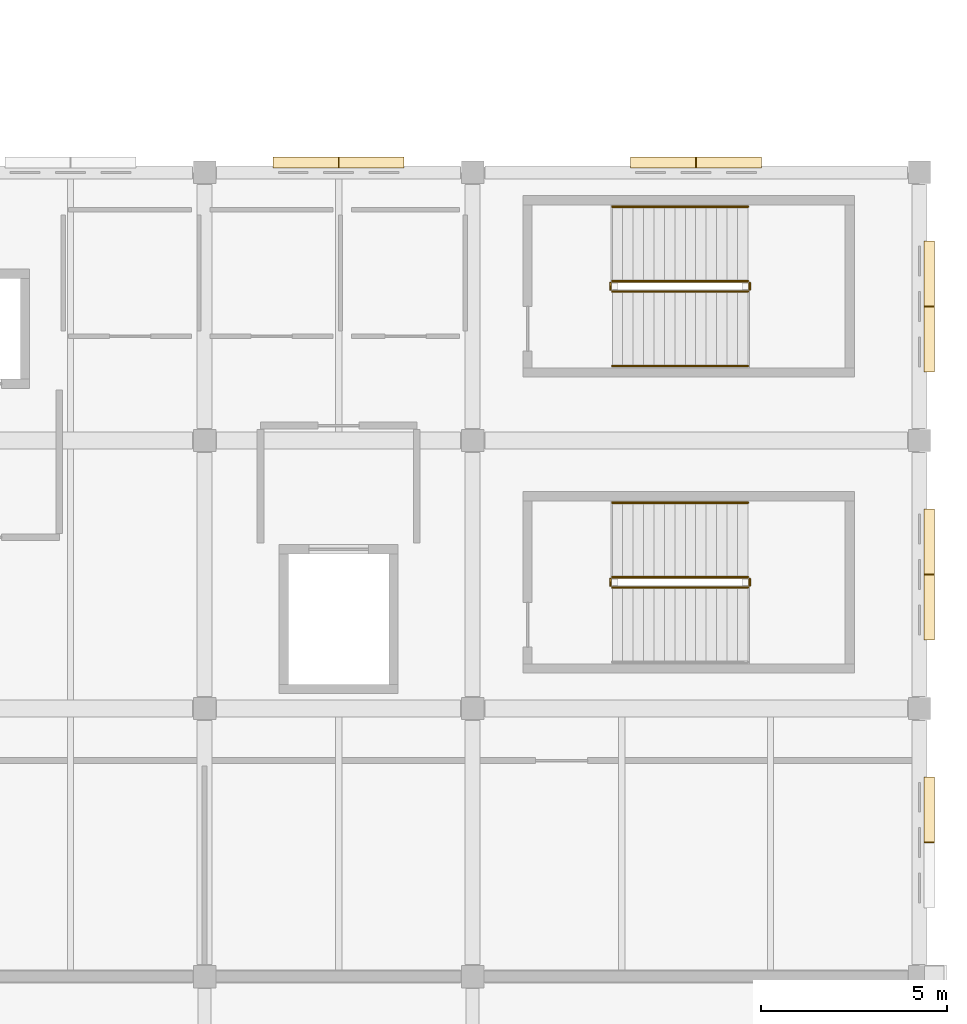
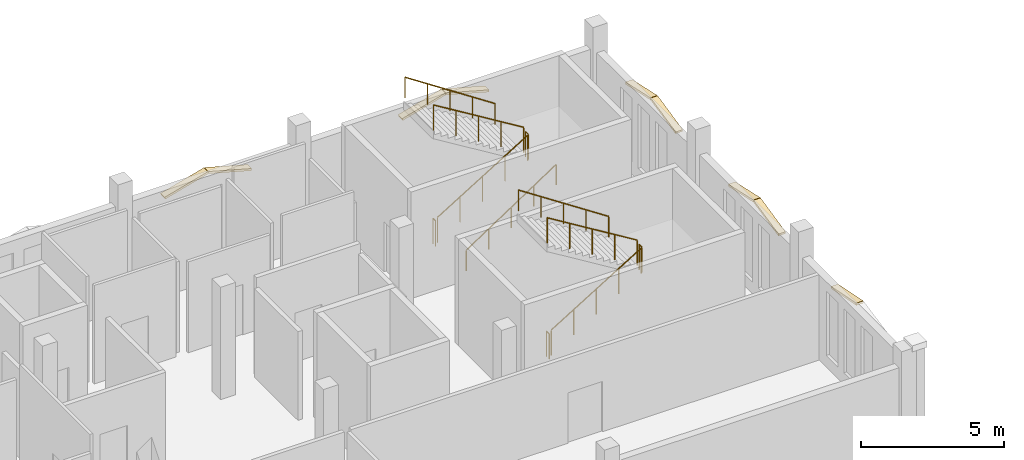
# One storey, part 21 of 23: 11 railings, 9 coverings.
"""IFC4 building model written with IfcOpenShell, lengths in metres."""

from ifc_helpers import new_model, si_unit, direction, frame, origin, origin_2d, place, context, subcontext, project, spatial, polyline, circle, outline, extrude, material, layer, layer_set, type_object, element, save


model = new_model("IFC4")

# Units and contexts
model_context = context("Model", 3, precision=1e-05, world=origin(), true_north=direction((0.0, 1.0)))
body_context = subcontext(model_context, "Body", "Model", "MODEL_VIEW")
ifc_project = project(units=[si_unit("LENGTHUNIT", "METRE"), si_unit("AREAUNIT", "SQUARE_METRE"), si_unit("VOLUMEUNIT", "CUBIC_METRE"), si_unit("PLANEANGLEUNIT", "RADIAN"), si_unit("MASSUNIT", "GRAM", prefix="KILO")], contexts=[model_context])

# Site, building, storey
site_placement = place(None, origin())
site = spatial("IfcSite", under=ifc_project, at=site_placement, CompositionType="ELEMENT")
building_placement = place(site_placement, origin())
building = spatial("IfcBuilding", under=site, at=building_placement, Name="Cendralis Lancet Convention Centre", CompositionType="ELEMENT")
storey_placement = place(building_placement, frame((0.0, 0.0, 19.800048828125)))
storey = spatial("IfcBuildingStorey", under=building, at=storey_placement, Name="L04", CompositionType="ELEMENT", Elevation=19.800048828125)

# Coverings
ifc_material_1 = material(Name="Warm buff sandstone chevron cassette", Category="masonry")
ifc_layer = layer(ifc_material_1, 0.06005859375, Name="Warm buff sandstone chevron cassette")
ifc_layer_set = layer_set([ifc_layer], Name="Warm buff sandstone chevron cassette")
covering_type = type_object("IfcCoveringType", Name="ARC-CV-CLAD1", PredefinedType="CLADDING", material=ifc_layer_set)
for number, where, z_axis, x_axis, name in (
    (1, (191.43994140625, 36.409912109375, 3.27001953125), (-0.267005870064, 0.0, 0.963694902628), (0.0, -1.0, 0.0), "L04 Gothic Pointed Lancet Hood-Mould #0423L"),
    (2, (193.2099609375, 36.409912109375, 3.7548828125), (0.267005870064, 0.0, 0.963694902628), (0.0, -1.0, 0.0), "L04 Gothic Pointed Lancet Hood-Mould #0424R"),
    (3, (201.0400390625, 36.409912109375, 3.27001953125), (-0.267005870064, 0.0, 0.963694902628), (0.0, -1.0, 0.0), "L04 Gothic Pointed Lancet Hood-Mould #0425L"),
    (4, (202.81005859375, 36.409912109375, 3.7548828125), (0.267005870064, 0.0, 0.963694902628), (0.0, -1.0, 0.0), "L04 Gothic Pointed Lancet Hood-Mould #0426R"),
):
    element("IfcCovering", number, at=place(storey_placement, frame(where, z_axis=z_axis, x_axis=x_axis)), inside=storey, type_object=covering_type, Name=name, PredefinedType="CLADDING", context=body_context, shape_type="SweptSolid", body=[
        extrude(outline(polyline([(0.0, 0.0), (0.284912109375, 0.0), (0.284912109375, 1.8159274218714019), (0.0, 1.8159274218714019), (0.0, 0.0)])), origin(), (0.0, 0.0, -1.0), 0.090087890625),
    ])
covering_placement = place(storey_placement, frame((209.2099609375, 19.760009765625, 3.27001953125), z_axis=(0.0, 0.193404209962, 0.981119162777), x_axis=(-1.0, 0.0, 0.0)))
element("IfcCovering", 5, at=covering_placement, inside=storey, type_object=covering_type, Name="L04 Gothic Pointed Lancet Hood-Mould #0427L", PredefinedType="CLADDING", context=body_context, shape_type="SweptSolid", body=[
    extrude(outline(polyline([(0.0, 0.0), (0.284912109375, 0.0), (0.284912109375, 1.7836773211583306), (0.0, 1.7836773211583306), (0.0, 0.0)])), origin(), (0.0, 0.0, -1.0), 0.090087890625),
])
for number, where, z_axis, x_axis, name in (
    (6, (209.2099609375, 26.9599609375, 3.27001953125), (0.0, 0.214866981087, 0.97664332304), (-1.0, 0.0, 0.0), "L04 Gothic Pointed Lancet Hood-Mould #0431L"),
    (7, (209.2099609375, 25.18994140625, 3.655029296875), (0.0, -0.214866981087, 0.97664332304), (-1.0, 0.0, 0.0), "L04 Gothic Pointed Lancet Hood-Mould #0432R"),
    (8, (209.2099609375, 34.159912109375, 3.27001953125), (0.0, 0.214866981087, 0.97664332304), (-1.0, 0.0, 0.0), "L04 Gothic Pointed Lancet Hood-Mould #0433L"),
    (9, (209.2099609375, 32.389892578125, 3.655029296875), (0.0, -0.214866981087, 0.97664332304), (-1.0, 0.0, 0.0), "L04 Gothic Pointed Lancet Hood-Mould #0434R"),
):
    element("IfcCovering", number, at=place(storey_placement, frame(where, z_axis=z_axis, x_axis=x_axis)), inside=storey, type_object=covering_type, Name=name, PredefinedType="CLADDING", context=body_context, shape_type="SweptSolid", body=[
        extrude(outline(polyline([(0.0, 0.0), (0.284912109375, 0.0), (0.284912109375, 1.791851701348808), (0.0, 1.791851701348808), (0.0, 0.0)])), origin(), (0.0, 0.0, -1.0), 0.090087890625),
    ])

# Railings
ifc_material_2 = material(Name="Steel S355", Category="steel")
railing_type_1 = type_object("IfcRailingType", Name="ARC-RL-CGD", PredefinedType="GUARDRAIL", material=ifc_material_2)
railing_1_placement = place(storey_placement, frame((200.550048828125, 24.85009765625, 0.17138671875)))
element("IfcRailing", 10, at=railing_1_placement, inside=storey, type_object=railing_type_1, Name="L04 ST-15 stair guard 1", PredefinedType="GUARDRAIL", context=body_context, shape_type="SweptSolid", body=[
    extrude(circle(Radius=0.02392578125, at=origin_2d()), frame((0.0, 0.0, 1.076171875), z_axis=(0.852850264322, 0.0, 0.5221555579), x_axis=(0.0, 1.0, 0.0)), (0.0, 0.0, 1.0), 4.267822265625),
    extrude(circle(Radius=0.02099609375, at=origin_2d()), origin(), (0.0, 0.0, 1.0), 1.052001953125),
    extrude(circle(Radius=0.02099609375, at=origin_2d()), frame((0.909912109375, 0.0, 0.55712890625)), (0.0, 0.0, 1.0), 1.052001953125),
    extrude(circle(Radius=0.02099609375, at=origin_2d()), frame((1.81982421875, 0.0, 1.1142578125)), (0.0, 0.0, 1.0), 1.052001953125),
    extrude(circle(Radius=0.02099609375, at=origin_2d()), frame((2.72998046875, 0.0, 1.67138671875)), (0.0, 0.0, 1.0), 1.052001953125),
    extrude(circle(Radius=0.02099609375, at=origin_2d()), frame((3.639892578125, 0.0, 2.228515625)), (0.0, 0.0, 1.0), 1.052001953125),
])
railing_2_placement = place(storey_placement, frame((204.239990234375, 24.89990234375, 2.39990234375)))
element("IfcRailing", 11, at=railing_2_placement, inside=storey, type_object=railing_type_1, Name="L04 ST-15 stair guard 2", PredefinedType="GUARDRAIL", context=body_context, shape_type="SweptSolid", body=[
    extrude(circle(Radius=0.02392578125, at=origin_2d()), frame((0.0, 0.0, 1.076171875), z_axis=(0.0, 1.0, 0.0), x_axis=(-1.0, 0.0, 0.0)), (0.0, 0.0, 1.0), 0.18017578125),
    extrude(circle(Radius=0.02099609375, at=origin_2d()), origin(), (0.0, 0.0, 1.0), 1.052001953125),
    extrude(circle(Radius=0.02099609375, at=origin_2d()), frame((0.0, 0.18017578125, 0.0)), (0.0, 0.0, 1.0), 1.052001953125),
])
railing_3_placement = place(storey_placement, frame((204.18994140625, 25.1298828125, 2.5712890625)))
element("IfcRailing", 12, at=railing_3_placement, inside=storey, type_object=railing_type_1, Name="L04 ST-15 stair guard 3", PredefinedType="GUARDRAIL", context=body_context, shape_type="SweptSolid", body=[
    extrude(circle(Radius=0.02392578125, at=origin_2d()), frame((0.0, 0.0, 1.076171875), z_axis=(-0.852824790078, 0.0, 0.522197163366), x_axis=(0.0, -1.0, 0.0)), (0.0, 0.0, 1.0), 4.26806640625),
    extrude(circle(Radius=0.02099609375, at=origin_2d()), origin(), (0.0, 0.0, 1.0), 1.052001953125),
    extrude(circle(Radius=0.02099609375, at=origin_2d()), frame((-0.909912109375, 0.0, 0.55712890625)), (0.0, 0.0, 1.0), 1.052001953125),
    extrude(circle(Radius=0.02099609375, at=origin_2d()), frame((-1.81982421875, 0.0, 1.1142578125)), (0.0, 0.0, 1.0), 1.052001953125),
    extrude(circle(Radius=0.02099609375, at=origin_2d()), frame((-2.72998046875, 0.0, 1.671630859375)), (0.0, 0.0, 1.0), 1.052001953125),
    extrude(circle(Radius=0.02099609375, at=origin_2d()), frame((-3.639892578125, 0.0, 2.228759765625)), (0.0, 0.0, 1.0), 1.052001953125),
])
railing_4_placement = place(storey_placement, frame((200.5, 24.89990234375, 0.0)))
element("IfcRailing", 13, at=railing_4_placement, inside=storey, type_object=railing_type_1, Name="L04 ST-15 stair guard 4", PredefinedType="GUARDRAIL", context=body_context, shape_type="SweptSolid", body=[
    extrude(circle(Radius=0.02392578125, at=origin_2d()), frame((0.0, 0.0, 1.076171875), z_axis=(0.0, 1.0, 0.0), x_axis=(-1.0, 0.0, 0.0)), (0.0, 0.0, 1.0), 0.18017578125),
    extrude(circle(Radius=0.02099609375, at=origin_2d()), origin(), (0.0, 0.0, 1.0), 1.052001953125),
    extrude(circle(Radius=0.02099609375, at=origin_2d()), frame((0.0, 0.18017578125, 0.0)), (0.0, 0.0, 1.0), 1.052001953125),
])
railing_5_placement = place(storey_placement, frame((200.550048828125, 32.800048828125, 0.17138671875)))
element("IfcRailing", 14, at=railing_5_placement, inside=storey, type_object=railing_type_1, Name="L04 ST-16 stair guard 1", PredefinedType="GUARDRAIL", context=body_context, shape_type="SweptSolid", body=[
    extrude(circle(Radius=0.02392578125, at=origin_2d()), frame((0.0, 0.0, 1.076171875), z_axis=(0.852850264322, 0.0, 0.5221555579), x_axis=(0.0, 1.0, 0.0)), (0.0, 0.0, 1.0), 4.267822265625),
    extrude(circle(Radius=0.02099609375, at=origin_2d()), origin(), (0.0, 0.0, 1.0), 1.052001953125),
    extrude(circle(Radius=0.02099609375, at=origin_2d()), frame((0.909912109375, 0.0, 0.55712890625)), (0.0, 0.0, 1.0), 1.052001953125),
    extrude(circle(Radius=0.02099609375, at=origin_2d()), frame((1.81982421875, 0.0, 1.1142578125)), (0.0, 0.0, 1.0), 1.052001953125),
    extrude(circle(Radius=0.02099609375, at=origin_2d()), frame((2.72998046875, 0.0, 1.67138671875)), (0.0, 0.0, 1.0), 1.052001953125),
    extrude(circle(Radius=0.02099609375, at=origin_2d()), frame((3.639892578125, 0.0, 2.228515625)), (0.0, 0.0, 1.0), 1.052001953125),
])
railing_6_placement = place(storey_placement, frame((204.239990234375, 32.85009765625, 2.39990234375)))
element("IfcRailing", 15, at=railing_6_placement, inside=storey, type_object=railing_type_1, Name="L04 ST-16 stair guard 2", PredefinedType="GUARDRAIL", context=body_context, shape_type="SweptSolid", body=[
    extrude(circle(Radius=0.02392578125, at=origin_2d()), frame((0.0, 0.0, 1.076171875), z_axis=(0.0, 1.0, 0.0), x_axis=(-1.0, 0.0, 0.0)), (0.0, 0.0, 1.0), 0.179931640625),
    extrude(circle(Radius=0.02099609375, at=origin_2d()), origin(), (0.0, 0.0, 1.0), 1.052001953125),
    extrude(circle(Radius=0.02099609375, at=origin_2d()), frame((0.0, 0.179931640625, 0.0)), (0.0, 0.0, 1.0), 1.052001953125),
])
railing_7_placement = place(storey_placement, frame((204.18994140625, 33.080078125, 2.5712890625)))
element("IfcRailing", 16, at=railing_7_placement, inside=storey, type_object=railing_type_1, Name="L04 ST-16 stair guard 3", PredefinedType="GUARDRAIL", context=body_context, shape_type="SweptSolid", body=[
    extrude(circle(Radius=0.02392578125, at=origin_2d()), frame((0.0, 0.0, 1.076171875), z_axis=(-0.852824790078, 0.0, 0.522197163366), x_axis=(0.0, -1.0, 0.0)), (0.0, 0.0, 1.0), 4.26806640625),
    extrude(circle(Radius=0.02099609375, at=origin_2d()), origin(), (0.0, 0.0, 1.0), 1.052001953125),
    extrude(circle(Radius=0.02099609375, at=origin_2d()), frame((-0.909912109375, 0.0, 0.55712890625)), (0.0, 0.0, 1.0), 1.052001953125),
    extrude(circle(Radius=0.02099609375, at=origin_2d()), frame((-1.81982421875, 0.0, 1.1142578125)), (0.0, 0.0, 1.0), 1.052001953125),
    extrude(circle(Radius=0.02099609375, at=origin_2d()), frame((-2.72998046875, 0.0, 1.671630859375)), (0.0, 0.0, 1.0), 1.052001953125),
    extrude(circle(Radius=0.02099609375, at=origin_2d()), frame((-3.639892578125, 0.0, 2.228759765625)), (0.0, 0.0, 1.0), 1.052001953125),
])
railing_8_placement = place(storey_placement, frame((200.5, 32.85009765625, 0.0)))
element("IfcRailing", 17, at=railing_8_placement, inside=storey, type_object=railing_type_1, Name="L04 ST-16 stair guard 4", PredefinedType="GUARDRAIL", context=body_context, shape_type="SweptSolid", body=[
    extrude(circle(Radius=0.02392578125, at=origin_2d()), frame((0.0, 0.0, 1.076171875), z_axis=(0.0, 1.0, 0.0), x_axis=(-1.0, 0.0, 0.0)), (0.0, 0.0, 1.0), 0.179931640625),
    extrude(circle(Radius=0.02099609375, at=origin_2d()), origin(), (0.0, 0.0, 1.0), 1.052001953125),
    extrude(circle(Radius=0.02099609375, at=origin_2d()), frame((0.0, 0.179931640625, 0.0)), (0.0, 0.0, 1.0), 1.052001953125),
])
railing_type_2 = type_object("IfcRailingType", Name="ARC-RL-CHR", PredefinedType="HANDRAIL", material=ifc_material_2)
railing_9_placement = place(storey_placement, frame((204.18994140625, 27.1298828125, 2.5712890625)))
element("IfcRailing", 18, at=railing_9_placement, inside=storey, type_object=railing_type_2, Name="L04 ST-15 stair handrail 2", PredefinedType="HANDRAIL", context=body_context, shape_type="SweptSolid", body=[
    extrude(circle(Radius=0.02392578125, at=origin_2d()), frame((0.0, 0.0, 0.8759765625), z_axis=(-0.834839479206, 0.0, 0.550493454965), x_axis=(0.0, -1.0, 0.0)), (0.0, 0.0, 1.0), 4.360107421875),
    extrude(circle(Radius=0.02099609375, at=origin_2d()), origin(), (0.0, 0.0, 1.0), 0.851806640625),
    extrude(circle(Radius=0.02099609375, at=origin_2d()), frame((-0.909912109375, 0.0, 0.60009765625)), (0.0, 0.0, 1.0), 0.851806640625),
    extrude(circle(Radius=0.02099609375, at=origin_2d()), frame((-1.81982421875, 0.0, 1.2001953125)), (0.0, 0.0, 1.0), 0.851806640625),
    extrude(circle(Radius=0.02099609375, at=origin_2d()), frame((-2.72998046875, 0.0, 1.800048828125)), (0.0, 0.0, 1.0), 0.851806640625),
    extrude(circle(Radius=0.02099609375, at=origin_2d()), frame((-3.639892578125, 0.0, 2.400146484375)), (0.0, 0.0, 1.0), 0.851806640625),
])
railing_10_placement = place(storey_placement, frame((200.550048828125, 30.800048828125, 0.17138671875)))
element("IfcRailing", 19, at=railing_10_placement, inside=storey, type_object=railing_type_2, Name="L04 ST-16 stair handrail 1", PredefinedType="HANDRAIL", context=body_context, shape_type="SweptSolid", body=[
    extrude(circle(Radius=0.02392578125, at=origin_2d()), frame((0.0, 0.0, 0.8759765625), z_axis=(0.834865213223, 0.0, 0.550454426587), x_axis=(0.0, 1.0, 0.0)), (0.0, 0.0, 1.0), 4.35986328125),
    extrude(circle(Radius=0.02099609375, at=origin_2d()), origin(), (0.0, 0.0, 1.0), 0.851806640625),
    extrude(circle(Radius=0.02099609375, at=origin_2d()), frame((0.909912109375, 0.0, 0.60009765625)), (0.0, 0.0, 1.0), 0.851806640625),
    extrude(circle(Radius=0.02099609375, at=origin_2d()), frame((1.81982421875, 0.0, 1.199951171875)), (0.0, 0.0, 1.0), 0.851806640625),
    extrude(circle(Radius=0.02099609375, at=origin_2d()), frame((2.72998046875, 0.0, 1.7998046875)), (0.0, 0.0, 1.0), 0.851806640625),
    extrude(circle(Radius=0.02099609375, at=origin_2d()), frame((3.639892578125, 0.0, 2.39990234375)), (0.0, 0.0, 1.0), 0.851806640625),
])
railing_11_placement = place(storey_placement, frame((204.18994140625, 35.080078125, 2.5712890625)))
element("IfcRailing", 20, at=railing_11_placement, inside=storey, type_object=railing_type_2, Name="L04 ST-16 stair handrail 2", PredefinedType="HANDRAIL", context=body_context, shape_type="SweptSolid", body=[
    extrude(circle(Radius=0.02392578125, at=origin_2d()), frame((0.0, 0.0, 0.8759765625), z_axis=(-0.834839479206, 0.0, 0.550493454965), x_axis=(0.0, -1.0, 0.0)), (0.0, 0.0, 1.0), 4.360107421875),
    extrude(circle(Radius=0.02099609375, at=origin_2d()), origin(), (0.0, 0.0, 1.0), 0.851806640625),
    extrude(circle(Radius=0.02099609375, at=origin_2d()), frame((-0.909912109375, 0.0, 0.60009765625)), (0.0, 0.0, 1.0), 0.851806640625),
    extrude(circle(Radius=0.02099609375, at=origin_2d()), frame((-1.81982421875, 0.0, 1.2001953125)), (0.0, 0.0, 1.0), 0.851806640625),
    extrude(circle(Radius=0.02099609375, at=origin_2d()), frame((-2.72998046875, 0.0, 1.800048828125)), (0.0, 0.0, 1.0), 0.851806640625),
    extrude(circle(Radius=0.02099609375, at=origin_2d()), frame((-3.639892578125, 0.0, 2.400146484375)), (0.0, 0.0, 1.0), 0.851806640625),
])

save(model, "model.ifc")
